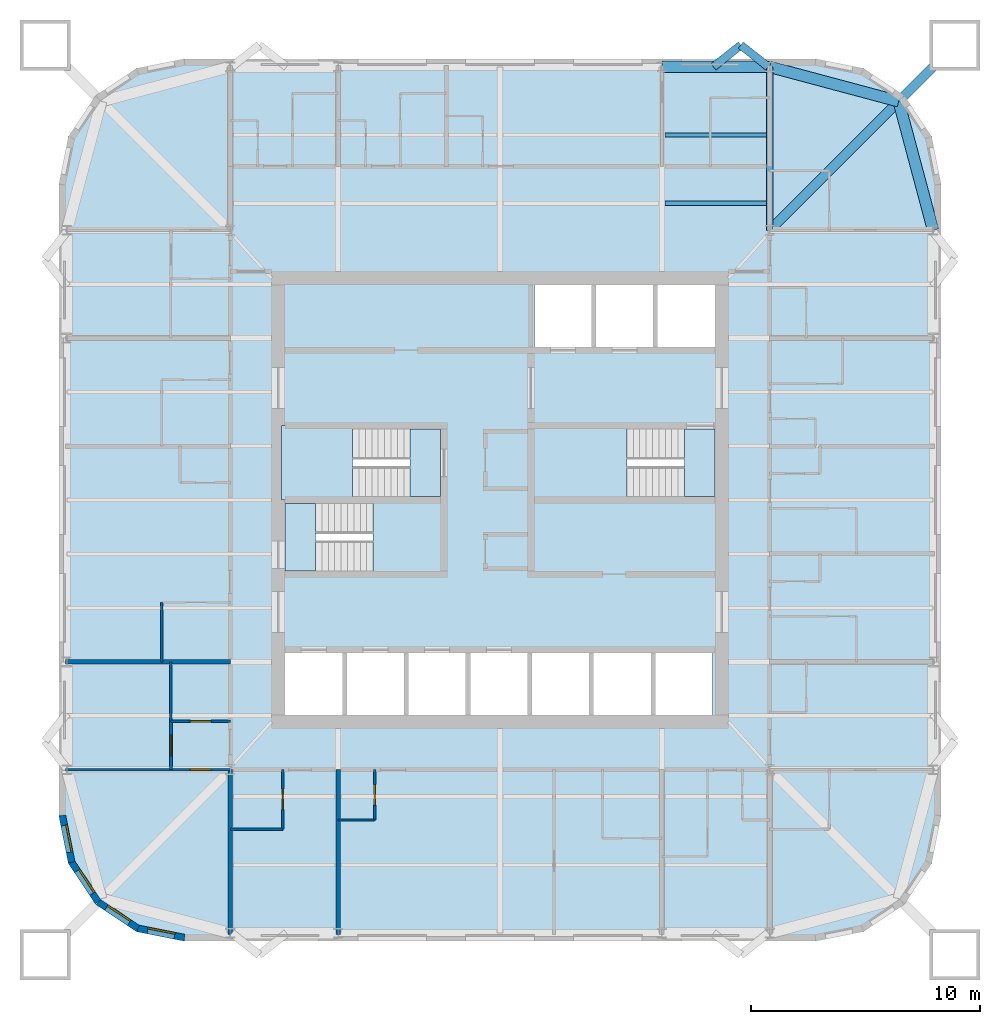
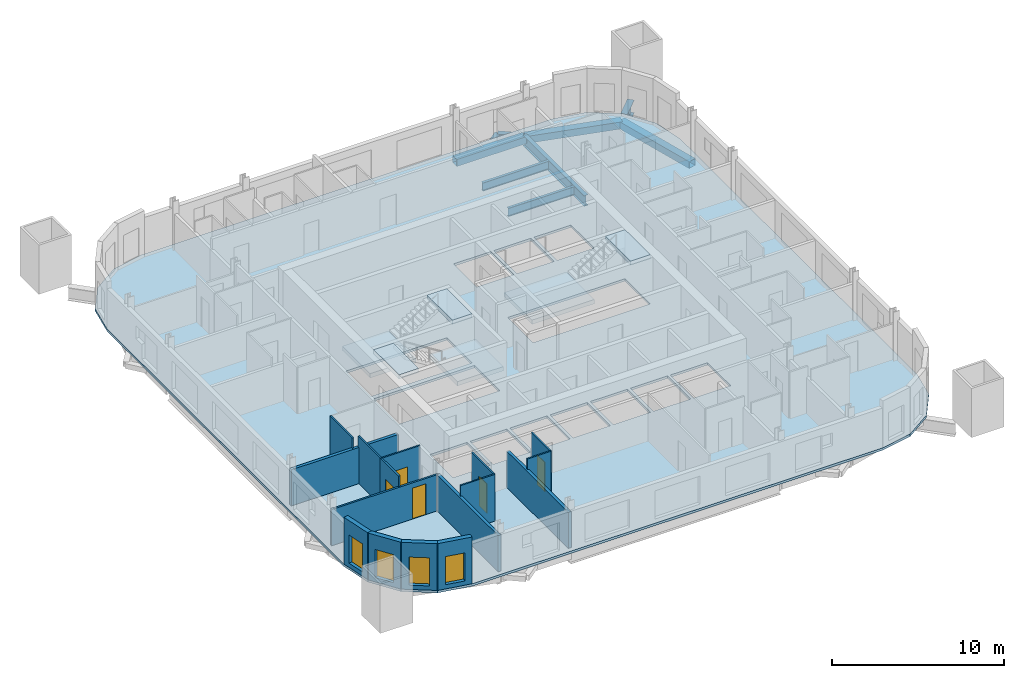
# One storey, part 2 of 9: 16 walls, 9 beams, 7 slabs, 5 doors, 4 windows, 9 openings, 3 elements without a shape of their own.
"""IFC4 building model written with IfcOpenShell, lengths in metres."""

from ifc_helpers import new_model, si_unit, direction, frame, frame_2d, origin, origin_2d, place, context, subcontext, project, spatial, polyline, rectangle, hollow_rectangle, i_section, outline, extrude, material, layer, layer_set, material_profile, profile_set, type_object, element, fill, aggregate, save


model = new_model("IFC4")

# Units and contexts
model_context = context("Model", 3, precision=1e-05, world=origin(), true_north=direction((0.0, 1.0)))
body_context = subcontext(model_context, "Body", "Model", "MODEL_VIEW")
ifc_project = project(units=[si_unit("LENGTHUNIT", "METRE"), si_unit("AREAUNIT", "SQUARE_METRE"), si_unit("VOLUMEUNIT", "CUBIC_METRE"), si_unit("PLANEANGLEUNIT", "RADIAN"), si_unit("MASSUNIT", "GRAM", prefix="KILO")], contexts=[model_context])

# Site, building, storey
site_placement = place(None, origin())
site = spatial("IfcSite", under=ifc_project, at=site_placement, CompositionType="ELEMENT")
building_placement = place(site_placement, origin())
building = spatial("IfcBuilding", under=site, at=building_placement, Name="Turquesa Mirador Hotel Tower", CompositionType="ELEMENT")
storey_placement = place(building_placement, frame((0.0, 0.0, 207.300048828125)))
storey = spatial("IfcBuildingStorey", under=building, at=storey_placement, Name="L56", CompositionType="ELEMENT", Elevation=207.300048828125)

# Beams
ifc_material_1 = material(Name="Steel ASTM A572 Grade 50", Category="steel")
ifc_material_profile_1 = material_profile(ifc_material_1, hollow_rectangle(XDim=0.5, YDim=0.5, WallThickness=0.01611328125, at=origin_2d()), Name="BOX500X500X16")
ifc_profile_set_1 = profile_set([ifc_material_profile_1], Name="Steel ASTM A572 Grade 50")
beam_type_1 = type_object("IfcBeamType", Name="BEAM BOX500X500X16", PredefinedType="BEAM", material=ifc_profile_set_1)
beam_1_placement = place(storey_placement, frame((62.080078125, 63.949951171875, -0.420166015625), z_axis=(1.0, 0.0, 0.0), x_axis=(0.0, 1.0, 0.0)))
element("IfcBeam", 1, at=beam_1_placement, inside=storey, type_object=beam_type_1, Name="EB-L56-N-R", PredefinedType="BEAM", context=body_context, shape_type="SweptSolid", body=[
    extrude(hollow_rectangle(XDim=0.5, YDim=0.5, WallThickness=0.01611328125, at=origin_2d()), origin(), (0.0, 0.0, 1.0), 4.719970703125),
])
for number, where, z_axis, x_axis, name in (
    (2, (73.949951171875, 56.800048828125, -0.420166015625), (-0.258281892145, 0.966069595935, 0.0), (-0.966069595935, -0.258281892145, 0.0), "KE-L56-1-0"),
    (3, (72.441650390625, 62.441650390625, -0.420166015625), (-0.966069595935, 0.258281892145, 0.0), (-0.258281892145, -0.966069595935, 0.0), "KE-L56-1-1"),
):
    element("IfcBeam", number, at=place(storey_placement, frame(where, z_axis=z_axis, x_axis=x_axis)), inside=storey, type_object=beam_type_1, Name=name, PredefinedType="BEAM", context=body_context, shape_type="SweptSolid", body=[
        extrude(hollow_rectangle(XDim=0.5, YDim=0.5, WallThickness=0.01611328125, at=origin_2d()), origin(), (0.0, 0.0, 1.0), 5.83984375),
    ])
ifc_material_2 = material(Name="Steel ASTM A992 Grade 50", Category="steel")
ifc_material_profile_2 = material_profile(ifc_material_2, i_section(OverallWidth=0.177978515625, OverallDepth=0.599365234375, WebThickness=0.010009765625, FlangeThickness=0.012939453125, at=origin_2d()), Name="W24X55")
ifc_profile_set_2 = profile_set([ifc_material_profile_2], Name="Steel ASTM A992 Grade 50")
beam_type_2 = type_object("IfcBeamType", Name="BEAM W24X55", PredefinedType="BEAM", material=ifc_profile_set_2)
for number, where, z_axis, x_axis, name in (
    (4, (62.21337890625, 57.98291015625, -0.4697265625), (1.0, 0.0, 0.0), (0.0, 1.0, 0.0), "IB-L56-N-1-3"),
    (5, (62.21337890625, 60.967041015625, -0.4697265625), (1.0, 0.0, 0.0), (0.0, 1.0, 0.0), "IB-L56-N-2-3"),
):
    element("IfcBeam", number, at=place(storey_placement, frame(where, z_axis=z_axis, x_axis=x_axis)), inside=storey, type_object=beam_type_2, Name=name, PredefinedType="BEAM", context=body_context, shape_type="SweptSolid", body=[
        extrude(i_section(OverallWidth=0.177978515625, OverallDepth=0.599365234375, WebThickness=0.010009765625, FlangeThickness=0.012939453125, at=origin_2d()), origin(), (0.0, 0.0, 1.0), 4.453369140625),
    ])
ifc_material_3 = material(Name="Steel ASTM A992 Grade 50", Category="steel")
ifc_material_profile_3 = material_profile(ifc_material_3, i_section(OverallWidth=0.2666015625, OverallDepth=0.7568359375, WebThickness=0.013916015625, FlangeThickness=0.019287109375, at=origin_2d()), Name="W30X108")
ifc_profile_set_3 = profile_set([ifc_material_profile_3], Name="Steel ASTM A992 Grade 50")
beam_type_3 = type_object("IfcBeamType", Name="BEAM W30X108", PredefinedType="BEAM", material=ifc_profile_set_3)
beam_2_placement = place(storey_placement, frame((66.800048828125, 63.949951171875, -0.548583984375), z_axis=(0.0, -1.0, 0.0), x_axis=(1.0, 0.0, 0.0)))
element("IfcBeam", 6, at=beam_2_placement, inside=storey, type_object=beam_type_3, Name="GK-L56-N-+11.80", PredefinedType="BEAM", context=body_context, shape_type="SweptSolid", body=[
    extrude(i_section(OverallWidth=0.2666015625, OverallDepth=0.7568359375, WebThickness=0.013916015625, FlangeThickness=0.019287109375, at=origin_2d()), origin(), (0.0, 0.0, 1.0), 7.14990234375),
])
ifc_material_4 = material(Name="Steel ASTM A992 Grade 50", Category="steel")
ifc_material_profile_4 = material_profile(ifc_material_4, i_section(OverallWidth=0.419189453125, OverallDepth=0.927001953125, WebThickness=0.019287109375, FlangeThickness=0.031982421875, at=origin_2d()), Name="W36X231")
ifc_profile_set_4 = profile_set([ifc_material_profile_4], Name="Steel ASTM A992 Grade 50")
beam_type_4 = type_object("IfcBeamType", Name="BEAM W36X231", PredefinedType="BEAM", material=ifc_profile_set_4)
beam_3_placement = place(storey_placement, frame((66.800048828125, 56.800048828125, -0.633544921875), z_axis=(0.707106781187, 0.707106781187, 0.0), x_axis=(-0.707106781187, 0.707106781187, 0.0)))
element("IfcBeam", 7, at=beam_3_placement, inside=storey, type_object=beam_type_4, Name="KD-L56-1", PredefinedType="BEAM", context=body_context, shape_type="SweptSolid", body=[
    extrude(i_section(OverallWidth=0.419189453125, OverallDepth=0.927001953125, WebThickness=0.019287109375, FlangeThickness=0.031982421875, at=origin_2d()), origin(), (0.0, 0.0, 1.0), 10.080322265625),
])
ifc_material_5 = material(Name="Steel ASTM A500 Grade C", Category="steel")
ifc_material_profile_5 = material_profile(ifc_material_5, hollow_rectangle(XDim=0.355712890625, YDim=0.355712890625, WallThickness=0.0146484375, at=origin_2d()), Name="HSS14X14X5/8")
ifc_profile_set_5 = profile_set([ifc_material_profile_5], Name="Steel ASTM A500 Grade C")
beam_type_5 = type_object("IfcBeamType", Name="BRACE STRUT HSS14X14X5/8", PredefinedType="BEAM", material=ifc_profile_set_5)
beam_4_placement = place(storey_placement, frame((65.535400390625, 64.89990234375, -0.347900390625), z_axis=(-0.784110506071, -0.620621232531, 0.0), x_axis=(0.620621232531, -0.784110506071, 0.0)))
element("IfcBeam", 8, at=beam_4_placement, inside=storey, type_object=beam_type_5, Name="Brace strut", PredefinedType="BEAM", context=body_context, shape_type="SweptSolid", body=[
    extrude(hollow_rectangle(XDim=0.355712890625, YDim=0.355712890625, WallThickness=0.0146484375, at=origin_2d()), origin(), (0.0, 0.0, 1.0), 1.53076171875),
])
beam_5_placement = place(storey_placement, frame((65.535400390625, 64.89990234375, -0.347900390625), z_axis=(0.784049059149, -0.620698858423, 0.0), x_axis=(0.620698858423, 0.784049059149, 0.0)))
element("IfcBeam", 9, at=beam_5_placement, inside=storey, type_object=beam_type_5, Name="Brace strut", PredefinedType="BEAM", context=body_context, shape_type="SweptSolid", body=[
    extrude(hollow_rectangle(XDim=0.355712890625, YDim=0.355712890625, WallThickness=0.0146484375, at=origin_2d()), origin(), (0.0, 0.0, 1.0), 1.530517578125),
])

# Slab
ifc_material_6 = material(Name="Concrete C28/35", Category="concrete")
ifc_layer_1 = layer(ifc_material_6, 0.169921875)
ifc_layer_set_1 = layer_set([ifc_layer_1], Name="COMPOSITE FLOOR SLAB 170")
slab_type_1 = type_object("IfcSlabType", Name="COMPOSITE FLOOR SLAB 170", PredefinedType="FLOOR", material=ifc_layer_set_1)
slab_1_placement = place(storey_placement, frame((0.0, 0.0, -0.170166015625)))
element("IfcSlab", 10, at=slab_1_placement, inside=storey, type_object=slab_type_1, Name="Floor slab L56", PredefinedType="FLOOR", context=body_context, shape_type="SweptSolid", body=[
    extrude(outline(polyline([(68.800048828125, 25.699951171875), (70.90478515625, 26.11865234375), (72.689208984375, 27.310791015625), (73.88134765625, 29.09521484375), (74.300048828125, 31.199951171875), (74.300048828125, 58.800048828125), (73.88134765625, 60.90478515625), (72.689208984375, 62.689208984375), (70.90478515625, 63.88134765625), (68.800048828125, 64.300048828125), (41.199951171875, 64.300048828125), (39.09521484375, 63.88134765625), (37.310791015625, 62.689208984375), (36.11865234375, 60.90478515625), (35.699951171875, 58.800048828125), (35.699951171875, 31.199951171875), (36.11865234375, 29.09521484375), (37.310791015625, 27.310791015625), (39.09521484375, 26.11865234375), (41.199951171875, 25.699951171875), (68.800048828125, 25.699951171875)]), holes=[polyline([(56.5, 51.699951171875), (59.0, 51.699951171875), (59.0, 54.39990234375), (56.5, 54.39990234375), (56.5, 51.699951171875)]), polyline([(59.199951171875, 51.699951171875), (61.699951171875, 51.699951171875), (61.699951171875, 54.39990234375), (59.199951171875, 54.39990234375), (59.199951171875, 51.699951171875)]), polyline([(45.60009765625, 35.60009765625), (48.10009765625, 35.60009765625), (48.10009765625, 38.300048828125), (45.60009765625, 38.300048828125), (45.60009765625, 35.60009765625)]), polyline([(48.300048828125, 35.60009765625), (50.800048828125, 35.60009765625), (50.800048828125, 38.300048828125), (48.300048828125, 38.300048828125), (48.300048828125, 35.60009765625)]), polyline([(51.0, 35.60009765625), (53.5, 35.60009765625), (53.5, 38.300048828125), (51.0, 38.300048828125), (51.0, 35.60009765625)]), polyline([(53.699951171875, 35.60009765625), (56.199951171875, 35.60009765625), (56.199951171875, 38.300048828125), (53.699951171875, 38.300048828125), (53.699951171875, 35.60009765625)]), polyline([(56.39990234375, 35.60009765625), (58.89990234375, 35.60009765625), (58.89990234375, 38.300048828125), (56.39990234375, 38.300048828125), (56.39990234375, 35.60009765625)]), polyline([(59.10009765625, 35.60009765625), (61.60009765625, 35.60009765625), (61.60009765625, 38.300048828125), (59.10009765625, 38.300048828125), (59.10009765625, 35.60009765625)]), polyline([(61.800048828125, 35.60009765625), (64.300048828125, 35.60009765625), (64.300048828125, 38.300048828125), (61.800048828125, 38.300048828125), (61.800048828125, 35.60009765625)]), polyline([(45.60009765625, 45.14990234375), (52.39990234375, 45.14990234375), (52.39990234375, 48.10009765625), (45.60009765625, 48.10009765625), (45.60009765625, 45.14990234375)]), polyline([(45.60009765625, 41.89990234375), (52.39990234375, 41.89990234375), (52.39990234375, 44.85009765625), (45.60009765625, 44.85009765625), (45.60009765625, 41.89990234375)]), polyline([(56.5, 45.14990234375), (64.39990234375, 45.14990234375), (64.39990234375, 48.10009765625), (56.5, 48.10009765625), (56.5, 45.14990234375)]), polyline([(61.89990234375, 51.699951171875), (64.39990234375, 51.699951171875), (64.39990234375, 54.39990234375), (61.89990234375, 54.39990234375), (61.89990234375, 51.699951171875)])]), origin(), (0.0, 0.0, 1.0), 0.170166015625),
])

# Stair, slabs
ifc_material_7 = material(Name="Concrete C35/45", Category="concrete")
stair_type = type_object("IfcStairType", Name="ESCAPE STAIR CORE", PredefinedType="HALF_TURN_STAIR", material=ifc_material_7)
stair_1_placement = place(storey_placement, origin())
stair_1 = element("IfcStair", 11, at=stair_1_placement, inside=storey, type_object=stair_type, Name="Stair ST1 L56 to L57", PredefinedType="HALF_TURN_STAIR")
ifc_material_8 = material(Name="Concrete C35/45", Category="concrete")
ifc_layer_2 = layer(ifc_material_8, 0.300048828125)
ifc_layer_set_2 = layer_set([ifc_layer_2], Name="STAIR LANDING 300")
slab_type_2 = type_object("IfcSlabType", Name="STAIR LANDING 300", PredefinedType="LANDING", material=ifc_layer_set_2)
slab_2_placement = place(storey_placement, frame((0.0, 0.0, 1.449951171875)))
slab_2 = element("IfcSlab", 12, at=slab_2_placement, type_object=slab_type_2, Name="ST1 landing 1", PredefinedType="LANDING", context=body_context, shape_type="SweptSolid", body=[
    extrude(outline(polyline([(45.449951171875, 45.0), (48.550048828125, 45.0), (48.550048828125, 48.25), (45.449951171875, 48.25), (45.449951171875, 45.0)])), origin(), (0.0, 0.0, 1.0), 0.300048828125),
])
slab_3_placement = place(storey_placement, frame((0.0, 0.0, 3.199951171875)))
slab_3 = element("IfcSlab", 13, at=slab_3_placement, type_object=slab_type_2, Name="ST1 landing 2", PredefinedType="LANDING", context=body_context, shape_type="SweptSolid", body=[
    extrude(outline(polyline([(51.070068359375, 45.14990234375), (52.39990234375, 45.14990234375), (52.39990234375, 48.10009765625), (51.070068359375, 48.10009765625), (51.070068359375, 45.14990234375)])), origin(), (0.0, 0.0, 1.0), 0.300048828125),
])
aggregate(stair_1, [slab_2, slab_3])

stair_2_placement = place(storey_placement, origin())
stair_2 = element("IfcStair", 14, at=stair_2_placement, inside=storey, type_object=stair_type, Name="Stair ST2 L56 to L57", PredefinedType="HALF_TURN_STAIR")
slab_4_placement = place(storey_placement, frame((0.0, 0.0, 1.449951171875)))
slab_4 = element("IfcSlab", 15, at=slab_4_placement, type_object=slab_type_2, Name="ST2 landing 1", PredefinedType="LANDING", context=body_context, shape_type="SweptSolid", body=[
    extrude(outline(polyline([(52.550048828125, 45.0), (49.449951171875, 45.0), (49.449951171875, 41.75), (52.550048828125, 41.75), (52.550048828125, 45.0)])), origin(), (0.0, 0.0, 1.0), 0.300048828125),
])
slab_5_placement = place(storey_placement, frame((0.0, 0.0, 3.199951171875)))
slab_5 = element("IfcSlab", 16, at=slab_5_placement, type_object=slab_type_2, Name="ST2 landing 2", PredefinedType="LANDING", context=body_context, shape_type="SweptSolid", body=[
    extrude(outline(polyline([(46.929931640625, 44.85009765625), (45.60009765625, 44.85009765625), (45.60009765625, 41.89990234375), (46.929931640625, 41.89990234375), (46.929931640625, 44.85009765625)])), origin(), (0.0, 0.0, 1.0), 0.300048828125),
])
aggregate(stair_2, [slab_4, slab_5])

stair_3_placement = place(storey_placement, origin())
stair_3 = element("IfcStair", 17, at=stair_3_placement, inside=storey, type_object=stair_type, Name="Stair ST3 L56 to L57", PredefinedType="HALF_TURN_STAIR")
slab_6_placement = place(storey_placement, frame((0.0, 0.0, 1.449951171875)))
slab_6 = element("IfcSlab", 18, at=slab_6_placement, type_object=slab_type_2, Name="ST3 landing 1", PredefinedType="LANDING", context=body_context, shape_type="SweptSolid", body=[
    extrude(outline(polyline([(56.35009765625, 45.0), (60.550048828125, 45.0), (60.550048828125, 48.25), (56.35009765625, 48.25), (56.35009765625, 45.0)])), origin(), (0.0, 0.0, 1.0), 0.300048828125),
])
slab_7_placement = place(storey_placement, frame((0.0, 0.0, 3.199951171875)))
slab_7 = element("IfcSlab", 19, at=slab_7_placement, type_object=slab_type_2, Name="ST3 landing 2", PredefinedType="LANDING", context=body_context, shape_type="SweptSolid", body=[
    extrude(outline(polyline([(63.070068359375, 45.14990234375), (64.39990234375, 45.14990234375), (64.39990234375, 48.10009765625), (63.070068359375, 48.10009765625), (63.070068359375, 45.14990234375)])), origin(), (0.0, 0.0, 1.0), 0.300048828125),
])
aggregate(stair_3, [slab_6, slab_7])

# Walls
ifc_material_9 = material(Name="Gypsum board on steel studs", Category="steel")
ifc_layer_3 = layer(ifc_material_9, 0.10009765625)
ifc_layer_set_3 = layer_set([ifc_layer_3], Name="BATHROOM WALL 100")
wall_type_1 = type_object("IfcWallType", Name="BATHROOM WALL 100", PredefinedType="PARTITIONING", material=ifc_layer_set_3)
wall_1_placement = place(storey_placement, frame((47.919921875, 31.0, 0.0), z_axis=(0.0, 0.0, 1.0), x_axis=(1.0, 0.0, 0.0)))
element("IfcWall", 20, at=wall_1_placement, inside=storey, type_object=wall_type_1, Name="Partition L56 006", PredefinedType="PARTITIONING", context=body_context, shape_type="SweptSolid", body=[
    extrude(rectangle(XDim=1.60009765625, YDim=0.10009765625, at=frame_2d((0.800048828125, 0.0))), origin(), (0.0, 0.0, 1.0), 3.329833984375),
])
wall_2_placement = place(storey_placement, frame((43.199951171875, 30.60009765625, 0.0), z_axis=(0.0, 0.0, 1.0), x_axis=(1.0, 0.0, 0.0)))
element("IfcWall", 21, at=wall_2_placement, inside=storey, type_object=wall_type_1, Name="Partition L56 008", PredefinedType="PARTITIONING", context=body_context, shape_type="SweptSolid", body=[
    extrude(rectangle(XDim=2.300048828125, YDim=0.10009765625, at=frame_2d((1.14990234375, 0.0))), origin(), (0.0, 0.0, 1.0), 3.329833984375),
])

# Wall, opening, door
wall_3_placement = place(storey_placement, frame((40.60009765625, 35.320068359375, 0.0), z_axis=(0.0, 0.0, 1.0), x_axis=(1.0, 0.0, 0.0)))
wall_3 = element("IfcWall", 22, at=wall_3_placement, inside=storey, type_object=wall_type_1, Name="Partition L56 019", PredefinedType="PARTITIONING", context=body_context, shape_type="SweptSolid", body=[
    extrude(rectangle(XDim=2.599853515625, YDim=0.10009765625, at=frame_2d((1.2998046875, 0.0))), origin(), (0.0, 0.0, 1.0), 3.329833984375),
])
opening_1_placement = place(wall_3_placement, frame((0.85009765625, 0.0, 0.0)))
opening_1 = element("IfcOpeningElement", 23, at=opening_1_placement, cuts=wall_3, Name="Opening D02", PredefinedType="OPENING", context=body_context, shape_type="SweptSolid", body=[
    extrude(rectangle(XDim=0.89990234375, YDim=2.10009765625, at=frame_2d((0.449951171875, 1.050048828125))), frame((0.0, 0.06005859375, 0.0), z_axis=(0.0, -1.0, 0.0), x_axis=(1.0, 0.0, 0.0)), (0.0, 0.0, 1.0), 0.1201171875),
])
ifc_material_10 = material(Name="Timber veneered door", Category="wood")
door_type_1 = type_object("IfcDoorType", Name="DOOR 900X2100 EN-SUITE", OperationType="SINGLE_SWING_RIGHT", PredefinedType="DOOR", material=ifc_material_10)
door_1_placement = place(opening_1_placement, origin())
door_1 = element("IfcDoor", 24, at=door_1_placement, inside=storey, type_object=door_type_1, Name="Door 5614B", OperationType="SINGLE_SWING_RIGHT", OverallHeight=2.10009765625, OverallWidth=0.89990234375, PredefinedType="DOOR", context=body_context, shape_type="SweptSolid", body=[
    extrude(rectangle(XDim=0.89990234375, YDim=2.10009765625, at=frame_2d((0.449951171875, 1.050048828125))), frame((0.0, 0.02490234375, 0.0), z_axis=(0.0, -1.0, 0.0), x_axis=(1.0, 0.0, 0.0)), (0.0, 0.0, 1.0), 0.050048828125),
])
fill(opening_1, door_1)

# Walls
wall_4_placement = place(storey_placement, frame((40.60009765625, 35.320068359375, 0.0), z_axis=(0.0, 0.0, 1.0), x_axis=(0.0, 1.0, 0.0)))
element("IfcWall", 25, at=wall_4_placement, inside=storey, type_object=wall_type_1, Name="Partition L56 051", PredefinedType="PARTITIONING", context=body_context, shape_type="SweptSolid", body=[
    extrude(rectangle(XDim=2.599853515625, YDim=0.10009765625, at=frame_2d((1.2998046875, 0.0))), origin(), (0.0, 0.0, 1.0), 3.329833984375),
])
wall_5_placement = place(storey_placement, frame((40.199951171875, 37.919921875, 0.0), z_axis=(0.0, 0.0, 1.0), x_axis=(0.0, 1.0, 0.0)))
element("IfcWall", 26, at=wall_5_placement, inside=storey, type_object=wall_type_1, Name="Partition L56 055", PredefinedType="PARTITIONING", context=body_context, shape_type="SweptSolid", body=[
    extrude(rectangle(XDim=2.60009765625, YDim=0.10009765625, at=frame_2d((1.300048828125, 0.0))), origin(), (0.0, 0.0, 1.0), 3.329833984375),
])

# Wall, opening, door
wall_6_placement = place(storey_placement, frame((49.52001953125, 31.0, 0.0), z_axis=(0.0, 0.0, 1.0), x_axis=(0.0, 1.0, 0.0)))
wall_6 = element("IfcWall", 27, at=wall_6_placement, inside=storey, type_object=wall_type_1, Name="Partition L56 059", PredefinedType="PARTITIONING", context=body_context, shape_type="SweptSolid", body=[
    extrude(rectangle(XDim=2.199951171875, YDim=0.10009765625, at=frame_2d((1.10009765625, 0.0))), origin(), (0.0, 0.0, 1.0), 3.329833984375),
])
opening_2_placement = place(wall_6_placement, frame((0.64990234375, 0.0, 0.0)))
opening_2 = element("IfcOpeningElement", 28, at=opening_2_placement, cuts=wall_6, Name="Opening D06", PredefinedType="OPENING", context=body_context, shape_type="SweptSolid", body=[
    extrude(rectangle(XDim=0.89990234375, YDim=2.10009765625, at=frame_2d((0.449951171875, 1.050048828125))), frame((0.0, 0.06005859375, 0.0), z_axis=(0.0, -1.0, 0.0), x_axis=(1.0, 0.0, 0.0)), (0.0, 0.0, 1.0), 0.1201171875),
])
ifc_material_11 = material(Name="Laminate door", Category="wood")
door_type_2 = type_object("IfcDoorType", Name="DOOR 900X2100 WC", OperationType="SINGLE_SWING_LEFT", PredefinedType="DOOR", material=ifc_material_11)
door_2_placement = place(opening_2_placement, origin())
door_2 = element("IfcDoor", 29, at=door_2_placement, inside=storey, type_object=door_type_2, Name="Door 5605W", OperationType="SINGLE_SWING_LEFT", OverallHeight=2.10009765625, OverallWidth=0.89990234375, PredefinedType="DOOR", context=body_context, shape_type="SweptSolid", body=[
    extrude(rectangle(XDim=0.89990234375, YDim=2.10009765625, at=frame_2d((0.449951171875, 1.050048828125))), frame((0.0, 0.02490234375, 0.0), z_axis=(0.0, -1.0, 0.0), x_axis=(1.0, 0.0, 0.0)), (0.0, 0.0, 1.0), 0.050048828125),
])
fill(opening_2, door_2)

wall_7_placement = place(storey_placement, frame((45.5, 30.60009765625, 0.0), z_axis=(0.0, 0.0, 1.0), x_axis=(0.0, 1.0, 0.0)))
wall_7 = element("IfcWall", 30, at=wall_7_placement, inside=storey, type_object=wall_type_1, Name="Partition L56 064", PredefinedType="PARTITIONING", context=body_context, shape_type="SweptSolid", body=[
    extrude(rectangle(XDim=2.599853515625, YDim=0.10009765625, at=frame_2d((1.2998046875, 0.0))), origin(), (0.0, 0.0, 1.0), 3.329833984375),
])
opening_3_placement = place(wall_7_placement, frame((0.85009765625, 0.0, 0.0)))
opening_3 = element("IfcOpeningElement", 31, at=opening_3_placement, cuts=wall_7, Name="Opening D02", PredefinedType="OPENING", context=body_context, shape_type="SweptSolid", body=[
    extrude(rectangle(XDim=0.89990234375, YDim=2.10009765625, at=frame_2d((0.449951171875, 1.050048828125))), frame((0.0, 0.06005859375, 0.0), z_axis=(0.0, -1.0, 0.0), x_axis=(1.0, 0.0, 0.0)), (0.0, 0.0, 1.0), 0.1201171875),
])
door_3_placement = place(opening_3_placement, origin())
door_3 = element("IfcDoor", 32, at=door_3_placement, inside=storey, type_object=door_type_1, Name="Door 5604B", OperationType="SINGLE_SWING_RIGHT", OverallHeight=2.10009765625, OverallWidth=0.89990234375, PredefinedType="DOOR", context=body_context, shape_type="SweptSolid", body=[
    extrude(rectangle(XDim=0.89990234375, YDim=2.10009765625, at=frame_2d((0.449951171875, 1.050048828125))), frame((0.0, 0.02490234375, 0.0), z_axis=(0.0, -1.0, 0.0), x_axis=(1.0, 0.0, 0.0)), (0.0, 0.0, 1.0), 0.050048828125),
])
fill(opening_3, door_3)

# Wall, opening, window
ifc_material_12 = material(Name="Limestone cladding on concrete block", Category="masonry")
ifc_layer_4 = layer(ifc_material_12, 0.300048828125)
ifc_layer_set_4 = layer_set([ifc_layer_4], Name="FACADE WALL 300 STONE SCREEN")
wall_type_2 = type_object("IfcWallType", Name="FACADE WALL 300 STONE SCREEN", PredefinedType="SOLIDWALL", material=ifc_layer_set_4)
wall_8_placement = place(storey_placement, frame((35.85009765625, 31.199951171875, 0.0), z_axis=(0.0, 0.0, 1.0), x_axis=(0.195081421501, -0.980787050784, 0.0)))
wall_8 = element("IfcWall", 33, at=wall_8_placement, inside=storey, type_object=wall_type_2, Name="Facade wall L56 15", PredefinedType="SOLIDWALL", context=body_context, shape_type="SweptSolid", body=[
    extrude(rectangle(XDim=2.08740234375, YDim=0.300048828125, at=frame_2d((1.043701171875, 0.0))), origin(), (0.0, 0.0, 1.0), 3.329833984375),
])
opening_4_placement = place(wall_8_placement, frame((0.443603515625, 0.0, 0.300048828125)))
opening_4 = element("IfcOpeningElement", 34, at=opening_4_placement, cuts=wall_8, Name="Opening WN4", PredefinedType="OPENING", context=body_context, shape_type="SweptSolid", body=[
    extrude(rectangle(XDim=1.199951171875, YDim=2.0, at=frame_2d((0.60009765625, 1.0))), frame((0.0, 0.159912109375, 0.0), z_axis=(0.0, -1.0, 0.0), x_axis=(1.0, 0.0, 0.0)), (0.0, 0.0, 1.0), 0.320068359375),
])
ifc_material_13 = material(Name="Ceramic-fritted laminated glass", Category="glass")
window_type = type_object("IfcWindowType", Name="FRITTED CORNER WINDOW 1200X2000", PartitioningType="DOUBLE_PANEL_HORIZONTAL", PredefinedType="WINDOW", material=ifc_material_13)
window_1_placement = place(opening_4_placement, origin())
window_1 = element("IfcWindow", 35, at=window_1_placement, inside=storey, type_object=window_type, Name="Window L56", OverallHeight=2.0, OverallWidth=1.199951171875, PartitioningType="SINGLE_PANEL", PredefinedType="WINDOW", context=body_context, shape_type="SweptSolid", body=[
    extrude(rectangle(XDim=1.199951171875, YDim=2.0, at=frame_2d((0.60009765625, 1.0))), frame((0.0, 0.130126953125, 0.0), z_axis=(0.0, -1.0, 0.0), x_axis=(1.0, 0.0, 0.0)), (0.0, 0.0, 1.0), 0.06005859375),
])
fill(opening_4, window_1)

wall_9_placement = place(storey_placement, frame((36.25732421875, 29.152587890625, 0.0), z_axis=(0.0, 0.0, 1.0), x_axis=(0.555563607591, -0.831474039234, 0.0)))
wall_9 = element("IfcWall", 36, at=wall_9_placement, inside=storey, type_object=wall_type_2, Name="Facade wall L56 16", PredefinedType="SOLIDWALL", context=body_context, shape_type="SweptSolid", body=[
    extrude(rectangle(XDim=2.08740234375, YDim=0.300048828125, at=frame_2d((1.043701171875, 0.0))), origin(), (0.0, 0.0, 1.0), 3.329833984375),
])
opening_5_placement = place(wall_9_placement, frame((0.443603515625, 0.0, 0.300048828125)))
opening_5 = element("IfcOpeningElement", 37, at=opening_5_placement, cuts=wall_9, Name="Opening WN4", PredefinedType="OPENING", context=body_context, shape_type="SweptSolid", body=[
    extrude(rectangle(XDim=1.199951171875, YDim=2.0, at=frame_2d((0.60009765625, 1.0))), frame((0.0, 0.159912109375, 0.0), z_axis=(0.0, -1.0, 0.0), x_axis=(1.0, 0.0, 0.0)), (0.0, 0.0, 1.0), 0.320068359375),
])
window_2_placement = place(opening_5_placement, origin())
window_2 = element("IfcWindow", 38, at=window_2_placement, inside=storey, type_object=window_type, Name="Window L56", OverallHeight=2.0, OverallWidth=1.199951171875, PartitioningType="SINGLE_PANEL", PredefinedType="WINDOW", context=body_context, shape_type="SweptSolid", body=[
    extrude(rectangle(XDim=1.199951171875, YDim=2.0, at=frame_2d((0.60009765625, 1.0))), frame((0.0, 0.130126953125, 0.0), z_axis=(0.0, -1.0, 0.0), x_axis=(1.0, 0.0, 0.0)), (0.0, 0.0, 1.0), 0.06005859375),
])
fill(opening_5, window_2)

wall_10_placement = place(storey_placement, frame((37.4169921875, 27.4169921875, 0.0), z_axis=(0.0, 0.0, 1.0), x_axis=(0.831474039234, -0.555563607591, 0.0)))
wall_10 = element("IfcWall", 39, at=wall_10_placement, inside=storey, type_object=wall_type_2, Name="Facade wall L56 17", PredefinedType="SOLIDWALL", context=body_context, shape_type="SweptSolid", body=[
    extrude(rectangle(XDim=2.08740234375, YDim=0.300048828125, at=frame_2d((1.043701171875, 0.0))), origin(), (0.0, 0.0, 1.0), 3.329833984375),
])
opening_6_placement = place(wall_10_placement, frame((0.443603515625, 0.0, 0.300048828125)))
opening_6 = element("IfcOpeningElement", 40, at=opening_6_placement, cuts=wall_10, Name="Opening WN4", PredefinedType="OPENING", context=body_context, shape_type="SweptSolid", body=[
    extrude(rectangle(XDim=1.199951171875, YDim=2.0, at=frame_2d((0.60009765625, 1.0))), frame((0.0, 0.159912109375, 0.0), z_axis=(0.0, -1.0, 0.0), x_axis=(1.0, 0.0, 0.0)), (0.0, 0.0, 1.0), 0.320068359375),
])
window_3_placement = place(opening_6_placement, origin())
window_3 = element("IfcWindow", 41, at=window_3_placement, inside=storey, type_object=window_type, Name="Window L56", OverallHeight=2.0, OverallWidth=1.199951171875, PartitioningType="SINGLE_PANEL", PredefinedType="WINDOW", context=body_context, shape_type="SweptSolid", body=[
    extrude(rectangle(XDim=1.199951171875, YDim=2.0, at=frame_2d((0.60009765625, 1.0))), frame((0.0, 0.130126953125, 0.0), z_axis=(0.0, -1.0, 0.0), x_axis=(1.0, 0.0, 0.0)), (0.0, 0.0, 1.0), 0.06005859375),
])
fill(opening_6, window_3)

wall_11_placement = place(storey_placement, frame((39.152587890625, 26.25732421875, 0.0), z_axis=(0.0, 0.0, 1.0), x_axis=(0.980787050784, -0.195081421501, 0.0)))
wall_11 = element("IfcWall", 42, at=wall_11_placement, inside=storey, type_object=wall_type_2, Name="Facade wall L56 18", PredefinedType="SOLIDWALL", context=body_context, shape_type="SweptSolid", body=[
    extrude(rectangle(XDim=2.08740234375, YDim=0.300048828125, at=frame_2d((1.043701171875, 0.0))), origin(), (0.0, 0.0, 1.0), 3.329833984375),
])
opening_7_placement = place(wall_11_placement, frame((0.443603515625, 0.0, 0.300048828125)))
opening_7 = element("IfcOpeningElement", 43, at=opening_7_placement, cuts=wall_11, Name="Opening WN4", PredefinedType="OPENING", context=body_context, shape_type="SweptSolid", body=[
    extrude(rectangle(XDim=1.199951171875, YDim=2.0, at=frame_2d((0.60009765625, 1.0))), frame((0.0, 0.159912109375, 0.0), z_axis=(0.0, -1.0, 0.0), x_axis=(1.0, 0.0, 0.0)), (0.0, 0.0, 1.0), 0.320068359375),
])
window_4_placement = place(opening_7_placement, origin())
window_4 = element("IfcWindow", 44, at=window_4_placement, inside=storey, type_object=window_type, Name="Window L56", OverallHeight=2.0, OverallWidth=1.199951171875, PartitioningType="SINGLE_PANEL", PredefinedType="WINDOW", context=body_context, shape_type="SweptSolid", body=[
    extrude(rectangle(XDim=1.199951171875, YDim=2.0, at=frame_2d((0.60009765625, 1.0))), frame((0.0, 0.130126953125, 0.0), z_axis=(0.0, -1.0, 0.0), x_axis=(1.0, 0.0, 0.0)), (0.0, 0.0, 1.0), 0.06005859375),
])
fill(opening_7, window_4)

# Walls
ifc_material_14 = material(Name="Fire-rated gypsum board on steel studs", Category="steel")
ifc_layer_5 = layer(ifc_material_14, 0.199951171875)
ifc_layer_set_5 = layer_set([ifc_layer_5], Name="PARTY WALL 200")
wall_type_3 = type_object("IfcWallType", Name="PARTY WALL 200", PredefinedType="PARTITIONING", material=ifc_layer_set_5)
for number, where, z_axis, x_axis, name in (
    (45, (36.0, 37.919921875, 0.0), (0.0, 0.0, 1.0), (1.0, 0.0, 0.0), "Partition L56 016"),
    (46, (43.199951171875, 26.0, 0.0), (0.0, 0.0, 1.0), (0.0, 1.0, 0.0), "Partition L56 048"),
    (47, (47.919921875, 26.0, 0.0), (0.0, 0.0, 1.0), (0.0, 1.0, 0.0), "Partition L56 061"),
):
    element("IfcWall", number, at=place(storey_placement, frame(where, z_axis=z_axis, x_axis=x_axis)), inside=storey, type_object=wall_type_3, Name=name, PredefinedType="PARTITIONING", context=body_context, shape_type="SweptSolid", body=[
        extrude(rectangle(XDim=7.199951171875, YDim=0.199951171875, at=frame_2d((3.60009765625, 0.0))), origin(), (0.0, 0.0, 1.0), 2.572998046875),
    ])

# Wall, opening, door
ifc_material_15 = material(Name="Acoustic gypsum board on steel studs", Category="steel")
ifc_layer_6 = layer(ifc_material_15, 0.125)
ifc_layer_set_6 = layer_set([ifc_layer_6], Name="SUITE PARTITION 125")
wall_type_4 = type_object("IfcWallType", Name="SUITE PARTITION 125", PredefinedType="PARTITIONING", material=ifc_layer_set_6)
wall_12_placement = place(storey_placement, frame((36.0, 33.199951171875, 0.0), z_axis=(0.0, 0.0, 1.0), x_axis=(1.0, 0.0, 0.0)))
wall_12 = element("IfcWall", 48, at=wall_12_placement, inside=storey, type_object=wall_type_4, Name="Partition L56 004", PredefinedType="PARTITIONING", context=body_context, shape_type="SweptSolid", body=[
    extrude(rectangle(XDim=7.199951171875, YDim=0.125, at=frame_2d((3.60009765625, 0.0))), origin(), (0.0, 0.0, 1.0), 2.572998046875),
])
opening_8_placement = place(wall_12_placement, frame((5.449951171875, 0.0, 0.0)))
opening_8 = element("IfcOpeningElement", 49, at=opening_8_placement, cuts=wall_12, Name="Opening D17", PredefinedType="OPENING", context=body_context, shape_type="SweptSolid", body=[
    extrude(rectangle(XDim=0.89990234375, YDim=2.199951171875, at=frame_2d((0.449951171875, 1.10009765625))), frame((0.0, 0.072509765625, 0.0), z_axis=(0.0, -1.0, 0.0), x_axis=(1.0, 0.0, 0.0)), (0.0, 0.0, 1.0), 0.14501953125),
])
ifc_material_16 = material(Name="Timber veneered door", Category="wood")
door_type_3 = type_object("IfcDoorType", Name="DOOR 900X2200 SUITE INTERNAL", OperationType="SINGLE_SWING_LEFT", PredefinedType="DOOR", material=ifc_material_16)
door_4_placement = place(opening_8_placement, origin())
door_4 = element("IfcDoor", 50, at=door_4_placement, inside=storey, type_object=door_type_3, Name="Door 5614", OperationType="SINGLE_SWING_LEFT", OverallHeight=2.199951171875, OverallWidth=0.89990234375, PredefinedType="DOOR", context=body_context, shape_type="SweptSolid", body=[
    extrude(rectangle(XDim=0.89990234375, YDim=2.199951171875, at=frame_2d((0.449951171875, 1.10009765625))), frame((0.0, 0.02490234375, 0.0), z_axis=(0.0, -1.0, 0.0), x_axis=(1.0, 0.0, 0.0)), (0.0, 0.0, 1.0), 0.050048828125),
])
fill(opening_8, door_4)

wall_13_placement = place(storey_placement, frame((40.60009765625, 33.199951171875, 0.0), z_axis=(0.0, 0.0, 1.0), x_axis=(0.0, 1.0, 0.0)))
wall_13 = element("IfcWall", 51, at=wall_13_placement, inside=storey, type_object=wall_type_4, Name="Partition L56 053", PredefinedType="PARTITIONING", context=body_context, shape_type="SweptSolid", body=[
    extrude(rectangle(XDim=2.1201171875, YDim=0.125, at=frame_2d((1.06005859375, 0.0))), origin(), (0.0, 0.0, 1.0), 3.329833984375),
])
opening_9_placement = place(wall_13_placement, frame((0.610107421875, 0.0, 0.0)))
opening_9 = element("IfcOpeningElement", 52, at=opening_9_placement, cuts=wall_13, Name="Opening D17", PredefinedType="OPENING", context=body_context, shape_type="SweptSolid", body=[
    extrude(rectangle(XDim=0.89990234375, YDim=2.199951171875, at=frame_2d((0.449951171875, 1.10009765625))), frame((0.0, 0.072509765625, 0.0), z_axis=(0.0, -1.0, 0.0), x_axis=(1.0, 0.0, 0.0)), (0.0, 0.0, 1.0), 0.14501953125),
])
door_5_placement = place(opening_9_placement, origin())
door_5 = element("IfcDoor", 53, at=door_5_placement, inside=storey, type_object=door_type_3, Name="Door 5614R", OperationType="SINGLE_SWING_LEFT", OverallHeight=2.199951171875, OverallWidth=0.89990234375, PredefinedType="DOOR", context=body_context, shape_type="SweptSolid", body=[
    extrude(rectangle(XDim=0.89990234375, YDim=2.199951171875, at=frame_2d((0.449951171875, 1.10009765625))), frame((0.0, 0.02490234375, 0.0), z_axis=(0.0, -1.0, 0.0), x_axis=(1.0, 0.0, 0.0)), (0.0, 0.0, 1.0), 0.050048828125),
])
fill(opening_9, door_5)

save(model, "model.ifc")
